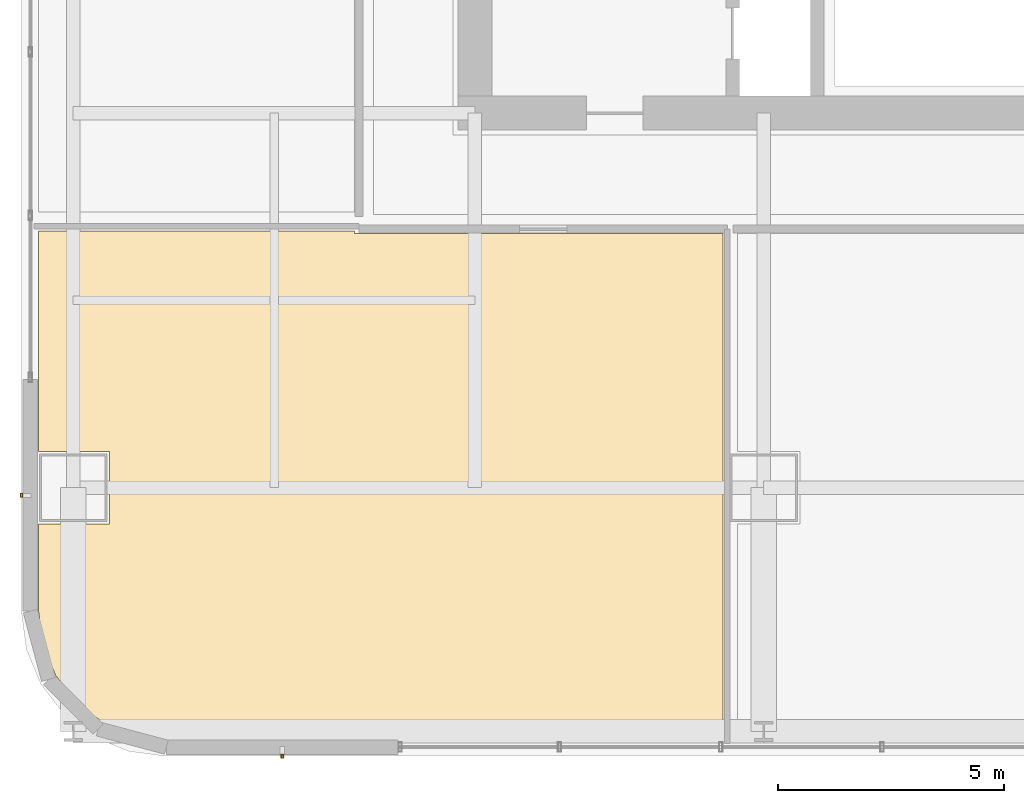
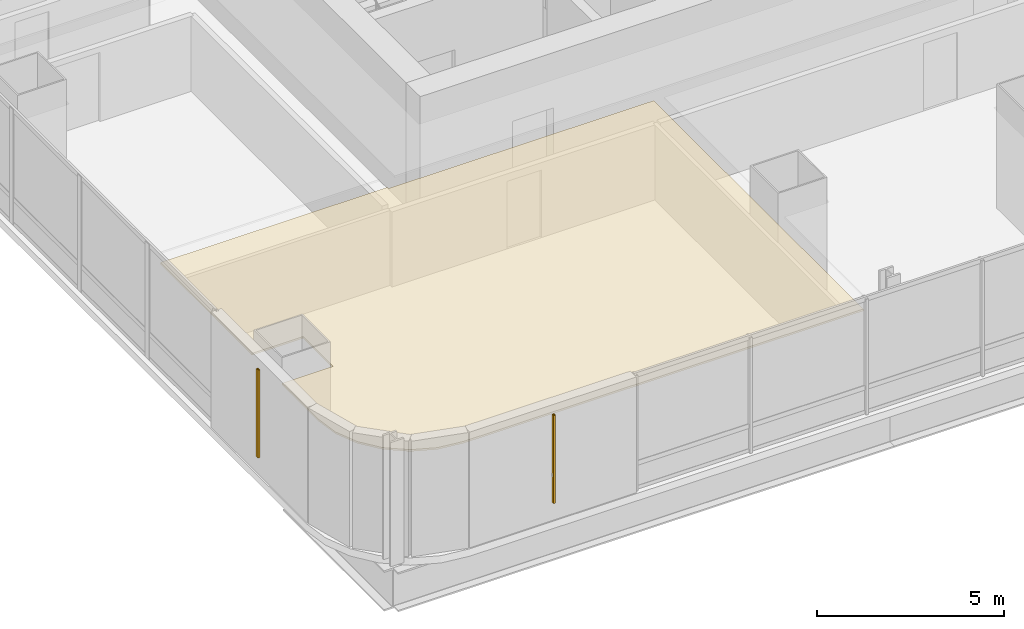
# One storey, part 33 of 42: 2 shading devices, 1 covering.
"""IFC4 building model written with IfcOpenShell, lengths in metres."""

from ifc_helpers import new_model, si_unit, direction, frame, origin, origin_2d, place, context, subcontext, project, spatial, polyline, hollow_rectangle, outline, extrude, material, layer, layer_set, material_profile, profile_set, type_object, element, save


model = new_model("IFC4")

# Units and contexts
model_context = context("Model", 3, precision=1e-05, world=origin(), true_north=direction((0.0, 1.0)))
body_context = subcontext(model_context, "Body", "Model", "MODEL_VIEW")
ifc_project = project(units=[si_unit("LENGTHUNIT", "METRE"), si_unit("AREAUNIT", "SQUARE_METRE"), si_unit("VOLUMEUNIT", "CUBIC_METRE"), si_unit("PLANEANGLEUNIT", "RADIAN"), si_unit("MASSUNIT", "GRAM", prefix="KILO")], contexts=[model_context])

# Site, building, storey
site_placement = place(None, origin())
site = spatial("IfcSite", under=ifc_project, at=site_placement, CompositionType="ELEMENT")
building_placement = place(site_placement, origin())
building = spatial("IfcBuilding", under=site, at=building_placement, Name="Punatoya Terracotta Tower", CompositionType="ELEMENT")
storey_placement = place(building_placement, frame((0.0, 0.0, 88.949951171875)))
storey = spatial("IfcBuildingStorey", under=building, at=storey_placement, Name="L20", CompositionType="ELEMENT", Elevation=88.949951171875)

# Covering
ifc_material_1 = material(Name="Acoustic Mineral Fibre Ceiling")
ifc_layer = layer(ifc_material_1, 0.06005859375)
ifc_layer_set = layer_set([ifc_layer], Name="Acoustic Mineral Fibre Ceiling")
covering_type = type_object("IfcCoveringType", Name="COV-CEIL-60", PredefinedType="CEILING", material=ifc_layer_set)
covering_placement = place(storey_placement, frame((0.0, 0.0, 3.199951171875)))
element("IfcCovering", 1, at=covering_placement, inside=storey, type_object=covering_type, Name="L20 Staff Wellness Studio Acoustic Ceiling", PredefinedType="CEILING", context=body_context, shape_type="SweptSolid", body=[
    extrude(outline(polyline([(-19.8701171875, -18.300048828125), (-19.8701171875, -20.22509765625), (-19.770751953125, -20.97900390625), (-19.489501953125, -21.658203125), (-19.041748046875, -22.24169921875), (-18.458251953125, -22.689453125), (-17.779052734375, -22.970703125), (-17.025146484375, -23.070068359375), (-4.705078125, -23.070068359375), (-4.705078125, -11.8701171875), (-12.8701171875, -11.8701171875), (-12.8701171875, -11.81005859375), (-19.8701171875, -11.81005859375), (-19.8701171875, -16.699951171875), (-18.300048828125, -16.699951171875), (-18.300048828125, -18.300048828125), (-19.8701171875, -18.300048828125)])), origin(), (0.0, 0.0, 1.0), 0.06005859375),
])

# Shading devices
ifc_material_2 = material(Name="Architectural Fired Terracotta", Category="masonry")
ifc_material_profile = material_profile(ifc_material_2, hollow_rectangle(XDim=0.06005859375, YDim=0.090087890625, WallThickness=0.013916015625, at=origin_2d()))
ifc_profile_set = profile_set([ifc_material_profile], Name="Architectural Fired Terracotta")
shading_device_type = type_object("IfcShadingDeviceType", Name="SHD-JALI-90", PredefinedType="JALOUSIE", material=ifc_profile_set)
for number, where, z_axis, x_axis, name in (
    (2, (-14.468505859375, -23.449951171875, 0.60009765625), (0.0, 0.0, 1.0), (1.0, 0.0, 0.0), "L20 Braced Bay Terracotta Jali Fin S1"),
    (3, (-20.25, -17.66845703125, 0.60009765625), (0.0, 0.0, 1.0), (1.0, 0.0, 0.0), "L20 Braced Bay Terracotta Jali Fin W2"),
):
    element("IfcShadingDevice", number, at=place(storey_placement, frame(where, z_axis=z_axis, x_axis=x_axis)), inside=storey, type_object=shading_device_type, Name=name, PredefinedType="JALOUSIE", context=body_context, shape_type="SweptSolid", body=[
        extrude(hollow_rectangle(XDim=0.06005859375, YDim=0.090087890625, WallThickness=0.013916015625, at=origin_2d()), origin(), (0.0, 0.0, 1.0), 2.869873046875),
    ])

save(model, "model.ifc")
